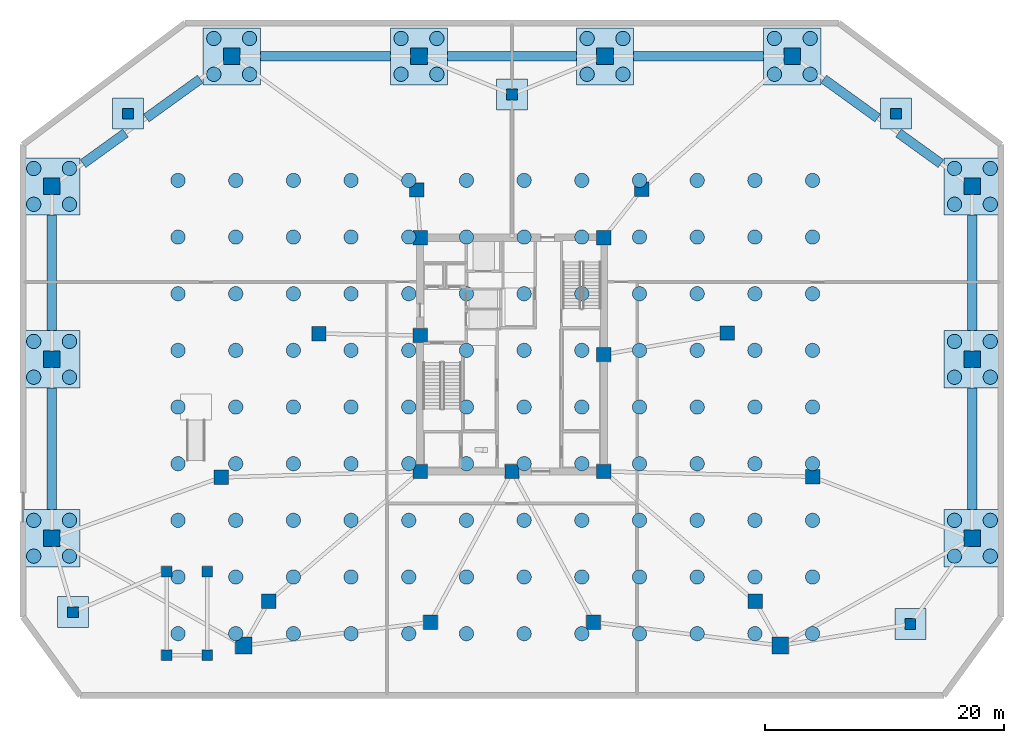
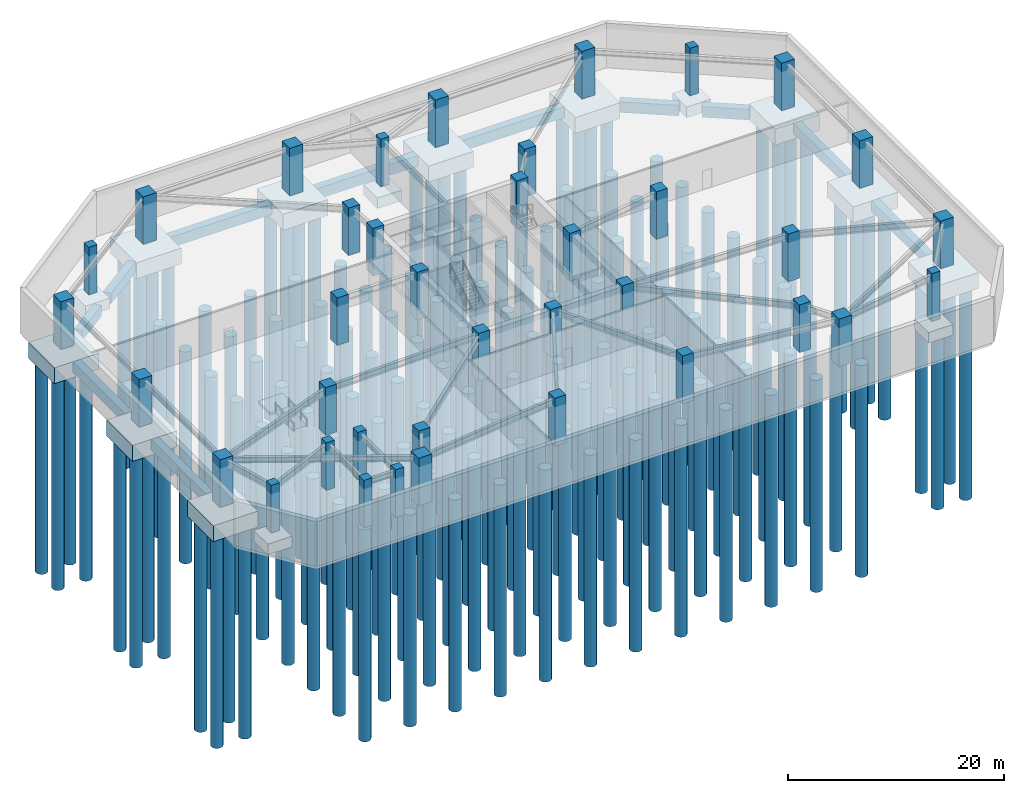
# One storey, part 1 of 12: 148 piles, 38 columns, 26 footings.
"""IFC4 building model written with IfcOpenShell, lengths in metres."""

from ifc_helpers import new_model, si_unit, direction, frame, origin, origin_2d, place, context, subcontext, project, spatial, rectangle, circle, extrude, material, material_profile, profile_set, type_object, element, save


model = new_model("IFC4")

# Units and contexts
model_context = context("Model", 3, precision=1e-05, world=origin(), true_north=direction((0.0, 1.0)))
body_context = subcontext(model_context, "Body", "Model", "MODEL_VIEW")
ifc_project = project(units=[si_unit("LENGTHUNIT", "METRE"), si_unit("AREAUNIT", "SQUARE_METRE"), si_unit("VOLUMEUNIT", "CUBIC_METRE"), si_unit("PLANEANGLEUNIT", "RADIAN"), si_unit("MASSUNIT", "GRAM", prefix="KILO")], contexts=[model_context])

# Site, building, storey
site_placement = place(None, origin())
site = spatial("IfcSite", under=ifc_project, at=site_placement, CompositionType="ELEMENT")
building_placement = place(site_placement, origin())
building = spatial("IfcBuilding", under=site, at=building_placement, Name="Savorim Split Tower", CompositionType="ELEMENT")
storey_placement = place(building_placement, frame((0.0, 0.0, -5.39990234375)))
storey = spatial("IfcBuildingStorey", under=building, at=storey_placement, Name="B01", CompositionType="ELEMENT", Elevation=-5.39990234375)

# Footings
ifc_material_1 = material(Name="Concrete C50/60", Category="concrete")
footing_type_1 = type_object("IfcFootingType", Name="FTG-GBM-800x1200", PredefinedType="FOOTING_BEAM", material=ifc_material_1)
footing_1_placement = place(storey_placement, frame((38.60009765625, -7.5, -1.64990234375), z_axis=(0.0, 0.0, 1.0), x_axis=(0.0, 1.0, 0.0)))
element("IfcFooting", 1, at=footing_1_placement, inside=storey, type_object=footing_type_1, Name="Continuous Ground Tie Beam GB-01", PredefinedType="FOOTING_BEAM", context=body_context, shape_type="SweptSolid", body=[
    extrude(rectangle(XDim=10.18994140625, YDim=0.800048828125, at=origin_2d()), origin(), (0.0, 0.0, 1.0), 1.199951171875),
])
footing_2_placement = place(storey_placement, frame((38.60009765625, 7.25, -1.64990234375), z_axis=(0.0, 0.0, 1.0), x_axis=(0.0, 1.0, 0.0)))
element("IfcFooting", 2, at=footing_2_placement, inside=storey, type_object=footing_type_1, Name="Continuous Ground Tie Beam GB-02", PredefinedType="FOOTING_BEAM", context=body_context, shape_type="SweptSolid", body=[
    extrude(rectangle(XDim=9.68994140625, YDim=0.800048828125, at=origin_2d()), origin(), (0.0, 0.0, 1.0), 1.199951171875),
])
footing_3_placement = place(storey_placement, frame((34.183837890625, 17.68798828125, -1.64990234375), z_axis=(0.0, 0.0, 1.0), x_axis=(-0.810820764412, 0.585294530982, 0.0)))
element("IfcFooting", 3, at=footing_3_placement, inside=storey, type_object=footing_type_1, Name="Continuous Ground Tie Beam GB-03A", PredefinedType="FOOTING_BEAM", context=body_context, shape_type="SweptSolid", body=[
    extrude(rectangle(XDim=4.383544921875, YDim=0.800048828125, at=origin_2d()), origin(), (0.0, 0.0, 1.0), 1.199951171875),
])
footing_4_placement = place(storey_placement, frame((28.39990234375, 21.86279296875, -1.64990234375), z_axis=(0.0, 0.0, 1.0), x_axis=(-0.810820764412, 0.585294530982, 0.0)))
element("IfcFooting", 4, at=footing_4_placement, inside=storey, type_object=footing_type_1, Name="Continuous Ground Tie Beam GB-03B", PredefinedType="FOOTING_BEAM", context=body_context, shape_type="SweptSolid", body=[
    extrude(rectangle(XDim=5.576904296875, YDim=0.800048828125, at=origin_2d()), origin(), (0.0, 0.0, 1.0), 1.199951171875),
])
footing_5_placement = place(storey_placement, frame((15.64990234375, 25.39990234375, -1.64990234375), z_axis=(0.0, 0.0, 1.0), x_axis=(1.0, 0.0, 0.0)))
element("IfcFooting", 5, at=footing_5_placement, inside=storey, type_object=footing_type_1, Name="Continuous Ground Tie Beam GB-04", PredefinedType="FOOTING_BEAM", context=body_context, shape_type="SweptSolid", body=[
    extrude(rectangle(XDim=10.889892578125, YDim=0.800048828125, at=origin_2d()), origin(), (0.0, 0.0, 1.0), 1.199951171875),
])
footing_6_placement = place(storey_placement, frame((0.0, 25.39990234375, -1.64990234375), z_axis=(0.0, 0.0, 1.0), x_axis=(1.0, 0.0, 0.0)))
element("IfcFooting", 6, at=footing_6_placement, inside=storey, type_object=footing_type_1, Name="Continuous Ground Tie Beam GB-05", PredefinedType="FOOTING_BEAM", context=body_context, shape_type="SweptSolid", body=[
    extrude(rectangle(XDim=10.7900390625, YDim=0.800048828125, at=origin_2d()), origin(), (0.0, 0.0, 1.0), 1.199951171875),
])
footing_7_placement = place(storey_placement, frame((-15.64990234375, 25.39990234375, -1.64990234375), z_axis=(0.0, 0.0, 1.0), x_axis=(1.0, 0.0, 0.0)))
element("IfcFooting", 7, at=footing_7_placement, inside=storey, type_object=footing_type_1, Name="Continuous Ground Tie Beam GB-06", PredefinedType="FOOTING_BEAM", context=body_context, shape_type="SweptSolid", body=[
    extrude(rectangle(XDim=10.889892578125, YDim=0.800048828125, at=origin_2d()), origin(), (0.0, 0.0, 1.0), 1.199951171875),
])
footing_8_placement = place(storey_placement, frame((-28.39990234375, 21.86279296875, -1.64990234375), z_axis=(0.0, 0.0, 1.0), x_axis=(0.810820764412, 0.585294530982, 0.0)))
element("IfcFooting", 8, at=footing_8_placement, inside=storey, type_object=footing_type_1, Name="Continuous Ground Tie Beam GB-07A", PredefinedType="FOOTING_BEAM", context=body_context, shape_type="SweptSolid", body=[
    extrude(rectangle(XDim=5.576904296875, YDim=0.800048828125, at=origin_2d()), origin(), (0.0, 0.0, 1.0), 1.199951171875),
])
footing_9_placement = place(storey_placement, frame((-34.183837890625, 17.68798828125, -1.64990234375), z_axis=(0.0, 0.0, 1.0), x_axis=(0.810820764412, 0.585294530982, 0.0)))
element("IfcFooting", 9, at=footing_9_placement, inside=storey, type_object=footing_type_1, Name="Continuous Ground Tie Beam GB-07B", PredefinedType="FOOTING_BEAM", context=body_context, shape_type="SweptSolid", body=[
    extrude(rectangle(XDim=4.383544921875, YDim=0.800048828125, at=origin_2d()), origin(), (0.0, 0.0, 1.0), 1.199951171875),
])
footing_10_placement = place(storey_placement, frame((-38.60009765625, 7.25, -1.64990234375), z_axis=(0.0, 0.0, 1.0), x_axis=(0.0, 1.0, 0.0)))
element("IfcFooting", 10, at=footing_10_placement, inside=storey, type_object=footing_type_1, Name="Continuous Ground Tie Beam GB-08", PredefinedType="FOOTING_BEAM", context=body_context, shape_type="SweptSolid", body=[
    extrude(rectangle(XDim=9.68994140625, YDim=0.800048828125, at=origin_2d()), origin(), (0.0, 0.0, 1.0), 1.199951171875),
])
footing_11_placement = place(storey_placement, frame((-38.60009765625, -7.5, -1.64990234375), z_axis=(0.0, 0.0, 1.0), x_axis=(0.0, 1.0, 0.0)))
element("IfcFooting", 11, at=footing_11_placement, inside=storey, type_object=footing_type_1, Name="Continuous Ground Tie Beam GB-09", PredefinedType="FOOTING_BEAM", context=body_context, shape_type="SweptSolid", body=[
    extrude(rectangle(XDim=10.18994140625, YDim=0.800048828125, at=origin_2d()), origin(), (0.0, 0.0, 1.0), 1.199951171875),
])
footing_type_2 = type_object("IfcFootingType", Name="FTG-PAD-2600", PredefinedType="PAD_FOOTING", material=ifc_material_1)
for number, where, z_axis, x_axis, name in (
    (12, (33.39990234375, -22.199951171875, -1.64990234375), (0.0, 0.0, 1.0), (1.0, 0.0, 0.0), "Pad Footing PF-01"),
    (13, (32.199951171875, 20.60009765625, -1.64990234375), (0.0, 0.0, 1.0), (1.0, 0.0, 0.0), "Pad Footing PF-02"),
    (14, (-32.199951171875, 20.60009765625, -1.64990234375), (0.0, 0.0, 1.0), (1.0, 0.0, 0.0), "Pad Footing PF-03"),
    (15, (-36.800048828125, -21.199951171875, -1.64990234375), (0.0, 0.0, 1.0), (1.0, 0.0, 0.0), "Pad Footing PF-04"),
    (16, (0.0, 22.199951171875, -1.64990234375), (0.0, 0.0, 1.0), (1.0, 0.0, 0.0), "Pad Footing PF-05"),
):
    element("IfcFooting", number, at=place(storey_placement, frame(where, z_axis=z_axis, x_axis=x_axis)), inside=storey, type_object=footing_type_2, Name=name, PredefinedType="PAD_FOOTING", context=body_context, shape_type="SweptSolid", body=[
        extrude(rectangle(XDim=2.60009765625, YDim=2.60009765625, at=origin_2d()), origin(), (0.0, 0.0, 1.0), 1.199951171875),
    ])
footing_type_3 = type_object("IfcFootingType", Name="FTG-PCAP-4800", PredefinedType="PILE_CAP", material=ifc_material_1)
for number, where, z_axis, x_axis, name in (
    (17, (38.60009765625, -15.0, -2.25), (0.0, 0.0, 1.0), (1.0, 0.0, 0.0), "Perimeter Pile Cap PC-05"),
    (18, (38.60009765625, 0.0, -2.25), (0.0, 0.0, 1.0), (1.0, 0.0, 0.0), "Perimeter Pile Cap PC-06"),
    (19, (38.60009765625, 14.5, -2.25), (0.0, 0.0, 1.0), (1.0, 0.0, 0.0), "Perimeter Pile Cap PC-07"),
    (20, (23.5, 25.39990234375, -2.25), (0.0, 0.0, 1.0), (1.0, 0.0, 0.0), "Perimeter Pile Cap PC-08"),
    (21, (7.800048828125, 25.39990234375, -2.25), (0.0, 0.0, 1.0), (1.0, 0.0, 0.0), "Perimeter Pile Cap PC-09"),
    (22, (-7.800048828125, 25.39990234375, -2.25), (0.0, 0.0, 1.0), (1.0, 0.0, 0.0), "Perimeter Pile Cap PC-10"),
    (23, (-23.5, 25.39990234375, -2.25), (0.0, 0.0, 1.0), (1.0, 0.0, 0.0), "Perimeter Pile Cap PC-11"),
    (24, (-38.60009765625, 14.5, -2.25), (0.0, 0.0, 1.0), (1.0, 0.0, 0.0), "Perimeter Pile Cap PC-12"),
    (25, (-38.60009765625, 0.0, -2.25), (0.0, 0.0, 1.0), (1.0, 0.0, 0.0), "Perimeter Pile Cap PC-13"),
    (26, (-38.60009765625, -15.0, -2.25), (0.0, 0.0, 1.0), (1.0, 0.0, 0.0), "Perimeter Pile Cap PC-14"),
):
    element("IfcFooting", number, at=place(storey_placement, frame(where, z_axis=z_axis, x_axis=x_axis)), inside=storey, type_object=footing_type_3, Name=name, PredefinedType="PILE_CAP", context=body_context, shape_type="SweptSolid", body=[
        extrude(rectangle(XDim=4.800048828125, YDim=4.800048828125, at=origin_2d()), origin(), (0.0, 0.0, 1.0), 1.800048828125),
    ])

# Piles
ifc_material_profile_1 = material_profile(ifc_material_1, circle(Radius=0.60009765625, at=origin_2d()), Name="PILE D1200")
ifc_profile_set_1 = profile_set([ifc_material_profile_1], Name="Concrete C50/60")
pile_type = type_object("IfcPileType", Name="PIL-BORED-1200", PredefinedType="BORED", material=ifc_profile_set_1)
for number, where, z_axis, x_axis, name in (
    (27, (-28.0, -23.0, -1.650146484375), (0.0, 0.0, -1.0), (1.0, 0.0, 0.0), "Bored Pile D1200 Raft 1"),
    (28, (-28.0, -18.25, -1.650146484375), (0.0, 0.0, -1.0), (1.0, 0.0, 0.0), "Bored Pile D1200 Raft 2"),
    (29, (-28.0, -13.5, -1.650146484375), (0.0, 0.0, -1.0), (1.0, 0.0, 0.0), "Bored Pile D1200 Raft 3"),
    (30, (-28.0, -8.75, -1.650146484375), (0.0, 0.0, -1.0), (1.0, 0.0, 0.0), "Bored Pile D1200 Raft 4"),
    (31, (-28.0, -4.0, -1.650146484375), (0.0, 0.0, -1.0), (1.0, 0.0, 0.0), "Bored Pile D1200 Raft 5"),
    (32, (-28.0, 0.75, -1.650146484375), (0.0, 0.0, -1.0), (1.0, 0.0, 0.0), "Bored Pile D1200 Raft 6"),
    (33, (-28.0, 5.5, -1.650146484375), (0.0, 0.0, -1.0), (1.0, 0.0, 0.0), "Bored Pile D1200 Raft 7"),
    (34, (-28.0, 10.25, -1.650146484375), (0.0, 0.0, -1.0), (1.0, 0.0, 0.0), "Bored Pile D1200 Raft 8"),
    (35, (-28.0, 15.0, -1.650146484375), (0.0, 0.0, -1.0), (1.0, 0.0, 0.0), "Bored Pile D1200 Raft 9"),
    (36, (-23.16357421875, -23.0, -1.650146484375), (0.0, 0.0, -1.0), (1.0, 0.0, 0.0), "Bored Pile D1200 Raft 10"),
    (37, (-23.16357421875, -18.25, -1.650146484375), (0.0, 0.0, -1.0), (1.0, 0.0, 0.0), "Bored Pile D1200 Raft 11"),
    (38, (-23.16357421875, -13.5, -1.650146484375), (0.0, 0.0, -1.0), (1.0, 0.0, 0.0), "Bored Pile D1200 Raft 12"),
    (39, (-23.16357421875, -8.75, -1.650146484375), (0.0, 0.0, -1.0), (1.0, 0.0, 0.0), "Bored Pile D1200 Raft 13"),
    (40, (-23.16357421875, -4.0, -1.650146484375), (0.0, 0.0, -1.0), (1.0, 0.0, 0.0), "Bored Pile D1200 Raft 14"),
    (41, (-23.16357421875, 0.75, -1.650146484375), (0.0, 0.0, -1.0), (1.0, 0.0, 0.0), "Bored Pile D1200 Raft 15"),
    (42, (-23.16357421875, 5.5, -1.650146484375), (0.0, 0.0, -1.0), (1.0, 0.0, 0.0), "Bored Pile D1200 Raft 16"),
    (43, (-23.16357421875, 10.25, -1.650146484375), (0.0, 0.0, -1.0), (1.0, 0.0, 0.0), "Bored Pile D1200 Raft 17"),
    (44, (-23.16357421875, 15.0, -1.650146484375), (0.0, 0.0, -1.0), (1.0, 0.0, 0.0), "Bored Pile D1200 Raft 18"),
    (45, (-18.327392578125, -23.0, -1.650146484375), (0.0, 0.0, -1.0), (1.0, 0.0, 0.0), "Bored Pile D1200 Raft 19"),
    (46, (-18.327392578125, -18.25, -1.650146484375), (0.0, 0.0, -1.0), (1.0, 0.0, 0.0), "Bored Pile D1200 Raft 20"),
    (47, (-18.327392578125, -13.5, -1.650146484375), (0.0, 0.0, -1.0), (1.0, 0.0, 0.0), "Bored Pile D1200 Raft 21"),
    (48, (-18.327392578125, -8.75, -1.650146484375), (0.0, 0.0, -1.0), (1.0, 0.0, 0.0), "Bored Pile D1200 Raft 22"),
    (49, (-18.327392578125, -4.0, -1.650146484375), (0.0, 0.0, -1.0), (1.0, 0.0, 0.0), "Bored Pile D1200 Raft 23"),
    (50, (-18.327392578125, 0.75, -1.650146484375), (0.0, 0.0, -1.0), (1.0, 0.0, 0.0), "Bored Pile D1200 Raft 24"),
    (51, (-18.327392578125, 5.5, -1.650146484375), (0.0, 0.0, -1.0), (1.0, 0.0, 0.0), "Bored Pile D1200 Raft 25"),
    (52, (-18.327392578125, 10.25, -1.650146484375), (0.0, 0.0, -1.0), (1.0, 0.0, 0.0), "Bored Pile D1200 Raft 26"),
    (53, (-18.327392578125, 15.0, -1.650146484375), (0.0, 0.0, -1.0), (1.0, 0.0, 0.0), "Bored Pile D1200 Raft 27"),
    (54, (-13.490966796875, -23.0, -1.650146484375), (0.0, 0.0, -1.0), (1.0, 0.0, 0.0), "Bored Pile D1200 Raft 28"),
    (55, (-13.490966796875, -18.25, -1.650146484375), (0.0, 0.0, -1.0), (1.0, 0.0, 0.0), "Bored Pile D1200 Raft 29"),
    (56, (-13.490966796875, -13.5, -1.650146484375), (0.0, 0.0, -1.0), (1.0, 0.0, 0.0), "Bored Pile D1200 Raft 30"),
    (57, (-13.490966796875, -8.75, -1.650146484375), (0.0, 0.0, -1.0), (1.0, 0.0, 0.0), "Bored Pile D1200 Raft 31"),
    (58, (-13.490966796875, -4.0, -1.650146484375), (0.0, 0.0, -1.0), (1.0, 0.0, 0.0), "Bored Pile D1200 Raft 32"),
    (59, (-13.490966796875, 0.75, -1.650146484375), (0.0, 0.0, -1.0), (1.0, 0.0, 0.0), "Bored Pile D1200 Raft 33"),
    (60, (-13.490966796875, 5.5, -1.650146484375), (0.0, 0.0, -1.0), (1.0, 0.0, 0.0), "Bored Pile D1200 Raft 34"),
    (61, (-13.490966796875, 10.25, -1.650146484375), (0.0, 0.0, -1.0), (1.0, 0.0, 0.0), "Bored Pile D1200 Raft 35"),
    (62, (-13.490966796875, 15.0, -1.650146484375), (0.0, 0.0, -1.0), (1.0, 0.0, 0.0), "Bored Pile D1200 Raft 36"),
    (63, (-8.654541015625, -23.0, -1.650146484375), (0.0, 0.0, -1.0), (1.0, 0.0, 0.0), "Bored Pile D1200 Raft 37"),
    (64, (-8.654541015625, -18.25, -1.650146484375), (0.0, 0.0, -1.0), (1.0, 0.0, 0.0), "Bored Pile D1200 Raft 38"),
    (65, (-8.654541015625, -13.5, -1.650146484375), (0.0, 0.0, -1.0), (1.0, 0.0, 0.0), "Bored Pile D1200 Raft 39"),
    (66, (-8.654541015625, -8.75, -1.650146484375), (0.0, 0.0, -1.0), (1.0, 0.0, 0.0), "Bored Pile D1200 Raft 40"),
    (67, (-8.654541015625, -4.0, -1.650146484375), (0.0, 0.0, -1.0), (1.0, 0.0, 0.0), "Bored Pile D1200 Raft 41"),
    (68, (-8.654541015625, 0.75, -1.650146484375), (0.0, 0.0, -1.0), (1.0, 0.0, 0.0), "Bored Pile D1200 Raft 42"),
    (69, (-8.654541015625, 5.5, -1.650146484375), (0.0, 0.0, -1.0), (1.0, 0.0, 0.0), "Bored Pile D1200 Raft 43"),
    (70, (-8.654541015625, 10.25, -1.650146484375), (0.0, 0.0, -1.0), (1.0, 0.0, 0.0), "Bored Pile D1200 Raft 44"),
    (71, (-8.654541015625, 15.0, -1.650146484375), (0.0, 0.0, -1.0), (1.0, 0.0, 0.0), "Bored Pile D1200 Raft 45"),
    (72, (-3.818115234375, -23.0, -1.650146484375), (0.0, 0.0, -1.0), (1.0, 0.0, 0.0), "Bored Pile D1200 Raft 46"),
    (73, (-3.818115234375, -18.25, -1.650146484375), (0.0, 0.0, -1.0), (1.0, 0.0, 0.0), "Bored Pile D1200 Raft 47"),
    (74, (-3.818115234375, -13.5, -1.650146484375), (0.0, 0.0, -1.0), (1.0, 0.0, 0.0), "Bored Pile D1200 Raft 48"),
    (75, (-3.818115234375, -8.75, -1.650146484375), (0.0, 0.0, -1.0), (1.0, 0.0, 0.0), "Bored Pile D1200 Raft 49"),
    (76, (-3.818115234375, -4.0, -1.650146484375), (0.0, 0.0, -1.0), (1.0, 0.0, 0.0), "Bored Pile D1200 Raft 50"),
    (77, (-3.818115234375, 0.75, -1.650146484375), (0.0, 0.0, -1.0), (1.0, 0.0, 0.0), "Bored Pile D1200 Raft 51"),
    (78, (-3.818115234375, 5.5, -1.650146484375), (0.0, 0.0, -1.0), (1.0, 0.0, 0.0), "Bored Pile D1200 Raft 52"),
    (79, (-3.818115234375, 10.25, -1.650146484375), (0.0, 0.0, -1.0), (1.0, 0.0, 0.0), "Bored Pile D1200 Raft 53"),
    (80, (-3.818115234375, 15.0, -1.650146484375), (0.0, 0.0, -1.0), (1.0, 0.0, 0.0), "Bored Pile D1200 Raft 54"),
    (81, (1.018310546875, -23.0, -1.650146484375), (0.0, 0.0, -1.0), (1.0, 0.0, 0.0), "Bored Pile D1200 Raft 55"),
    (82, (1.018310546875, -18.25, -1.650146484375), (0.0, 0.0, -1.0), (1.0, 0.0, 0.0), "Bored Pile D1200 Raft 56"),
    (83, (1.018310546875, -13.5, -1.650146484375), (0.0, 0.0, -1.0), (1.0, 0.0, 0.0), "Bored Pile D1200 Raft 57"),
    (84, (1.018310546875, -8.75, -1.650146484375), (0.0, 0.0, -1.0), (1.0, 0.0, 0.0), "Bored Pile D1200 Raft 58"),
    (85, (1.018310546875, -4.0, -1.650146484375), (0.0, 0.0, -1.0), (1.0, 0.0, 0.0), "Bored Pile D1200 Raft 59"),
    (86, (1.018310546875, 0.75, -1.650146484375), (0.0, 0.0, -1.0), (1.0, 0.0, 0.0), "Bored Pile D1200 Raft 60"),
    (87, (1.018310546875, 5.5, -1.650146484375), (0.0, 0.0, -1.0), (1.0, 0.0, 0.0), "Bored Pile D1200 Raft 61"),
    (88, (1.018310546875, 10.25, -1.650146484375), (0.0, 0.0, -1.0), (1.0, 0.0, 0.0), "Bored Pile D1200 Raft 62"),
    (89, (1.018310546875, 15.0, -1.650146484375), (0.0, 0.0, -1.0), (1.0, 0.0, 0.0), "Bored Pile D1200 Raft 63"),
    (90, (5.8544921875, -23.0, -1.650146484375), (0.0, 0.0, -1.0), (1.0, 0.0, 0.0), "Bored Pile D1200 Raft 64"),
    (91, (5.8544921875, -18.25, -1.650146484375), (0.0, 0.0, -1.0), (1.0, 0.0, 0.0), "Bored Pile D1200 Raft 65"),
    (92, (5.8544921875, -13.5, -1.650146484375), (0.0, 0.0, -1.0), (1.0, 0.0, 0.0), "Bored Pile D1200 Raft 66"),
    (93, (5.8544921875, -8.75, -1.650146484375), (0.0, 0.0, -1.0), (1.0, 0.0, 0.0), "Bored Pile D1200 Raft 67"),
    (94, (5.8544921875, -4.0, -1.650146484375), (0.0, 0.0, -1.0), (1.0, 0.0, 0.0), "Bored Pile D1200 Raft 68"),
    (95, (5.8544921875, 0.75, -1.650146484375), (0.0, 0.0, -1.0), (1.0, 0.0, 0.0), "Bored Pile D1200 Raft 69"),
    (96, (5.8544921875, 5.5, -1.650146484375), (0.0, 0.0, -1.0), (1.0, 0.0, 0.0), "Bored Pile D1200 Raft 70"),
    (97, (5.8544921875, 10.25, -1.650146484375), (0.0, 0.0, -1.0), (1.0, 0.0, 0.0), "Bored Pile D1200 Raft 71"),
    (98, (5.8544921875, 15.0, -1.650146484375), (0.0, 0.0, -1.0), (1.0, 0.0, 0.0), "Bored Pile D1200 Raft 72"),
    (99, (10.69091796875, -23.0, -1.650146484375), (0.0, 0.0, -1.0), (1.0, 0.0, 0.0), "Bored Pile D1200 Raft 73"),
    (100, (10.69091796875, -18.25, -1.650146484375), (0.0, 0.0, -1.0), (1.0, 0.0, 0.0), "Bored Pile D1200 Raft 74"),
    (101, (10.69091796875, -13.5, -1.650146484375), (0.0, 0.0, -1.0), (1.0, 0.0, 0.0), "Bored Pile D1200 Raft 75"),
    (102, (10.69091796875, -8.75, -1.650146484375), (0.0, 0.0, -1.0), (1.0, 0.0, 0.0), "Bored Pile D1200 Raft 76"),
    (103, (10.69091796875, -4.0, -1.650146484375), (0.0, 0.0, -1.0), (1.0, 0.0, 0.0), "Bored Pile D1200 Raft 77"),
    (104, (10.69091796875, 0.75, -1.650146484375), (0.0, 0.0, -1.0), (1.0, 0.0, 0.0), "Bored Pile D1200 Raft 78"),
    (105, (10.69091796875, 5.5, -1.650146484375), (0.0, 0.0, -1.0), (1.0, 0.0, 0.0), "Bored Pile D1200 Raft 79"),
    (106, (10.69091796875, 10.25, -1.650146484375), (0.0, 0.0, -1.0), (1.0, 0.0, 0.0), "Bored Pile D1200 Raft 80"),
    (107, (10.69091796875, 15.0, -1.650146484375), (0.0, 0.0, -1.0), (1.0, 0.0, 0.0), "Bored Pile D1200 Raft 81"),
    (108, (15.52734375, -23.0, -1.650146484375), (0.0, 0.0, -1.0), (1.0, 0.0, 0.0), "Bored Pile D1200 Raft 82"),
    (109, (15.52734375, -18.25, -1.650146484375), (0.0, 0.0, -1.0), (1.0, 0.0, 0.0), "Bored Pile D1200 Raft 83"),
    (110, (15.52734375, -13.5, -1.650146484375), (0.0, 0.0, -1.0), (1.0, 0.0, 0.0), "Bored Pile D1200 Raft 84"),
    (111, (15.52734375, -8.75, -1.650146484375), (0.0, 0.0, -1.0), (1.0, 0.0, 0.0), "Bored Pile D1200 Raft 85"),
    (112, (15.52734375, -4.0, -1.650146484375), (0.0, 0.0, -1.0), (1.0, 0.0, 0.0), "Bored Pile D1200 Raft 86"),
    (113, (15.52734375, 0.75, -1.650146484375), (0.0, 0.0, -1.0), (1.0, 0.0, 0.0), "Bored Pile D1200 Raft 87"),
    (114, (15.52734375, 5.5, -1.650146484375), (0.0, 0.0, -1.0), (1.0, 0.0, 0.0), "Bored Pile D1200 Raft 88"),
    (115, (15.52734375, 10.25, -1.650146484375), (0.0, 0.0, -1.0), (1.0, 0.0, 0.0), "Bored Pile D1200 Raft 89"),
    (116, (15.52734375, 15.0, -1.650146484375), (0.0, 0.0, -1.0), (1.0, 0.0, 0.0), "Bored Pile D1200 Raft 90"),
    (117, (20.363525390625, -23.0, -1.650146484375), (0.0, 0.0, -1.0), (1.0, 0.0, 0.0), "Bored Pile D1200 Raft 91"),
    (118, (20.363525390625, -18.25, -1.650146484375), (0.0, 0.0, -1.0), (1.0, 0.0, 0.0), "Bored Pile D1200 Raft 92"),
    (119, (20.363525390625, -13.5, -1.650146484375), (0.0, 0.0, -1.0), (1.0, 0.0, 0.0), "Bored Pile D1200 Raft 93"),
    (120, (20.363525390625, -8.75, -1.650146484375), (0.0, 0.0, -1.0), (1.0, 0.0, 0.0), "Bored Pile D1200 Raft 94"),
    (121, (20.363525390625, -4.0, -1.650146484375), (0.0, 0.0, -1.0), (1.0, 0.0, 0.0), "Bored Pile D1200 Raft 95"),
    (122, (20.363525390625, 0.75, -1.650146484375), (0.0, 0.0, -1.0), (1.0, 0.0, 0.0), "Bored Pile D1200 Raft 96"),
    (123, (20.363525390625, 5.5, -1.650146484375), (0.0, 0.0, -1.0), (1.0, 0.0, 0.0), "Bored Pile D1200 Raft 97"),
    (124, (20.363525390625, 10.25, -1.650146484375), (0.0, 0.0, -1.0), (1.0, 0.0, 0.0), "Bored Pile D1200 Raft 98"),
    (125, (20.363525390625, 15.0, -1.650146484375), (0.0, 0.0, -1.0), (1.0, 0.0, 0.0), "Bored Pile D1200 Raft 99"),
    (126, (25.199951171875, -23.0, -1.650146484375), (0.0, 0.0, -1.0), (1.0, 0.0, 0.0), "Bored Pile D1200 Raft 100"),
    (127, (25.199951171875, -18.25, -1.650146484375), (0.0, 0.0, -1.0), (1.0, 0.0, 0.0), "Bored Pile D1200 Raft 101"),
    (128, (25.199951171875, -13.5, -1.650146484375), (0.0, 0.0, -1.0), (1.0, 0.0, 0.0), "Bored Pile D1200 Raft 102"),
    (129, (25.199951171875, -8.75, -1.650146484375), (0.0, 0.0, -1.0), (1.0, 0.0, 0.0), "Bored Pile D1200 Raft 103"),
    (130, (25.199951171875, -4.0, -1.650146484375), (0.0, 0.0, -1.0), (1.0, 0.0, 0.0), "Bored Pile D1200 Raft 104"),
    (131, (25.199951171875, 0.75, -1.650146484375), (0.0, 0.0, -1.0), (1.0, 0.0, 0.0), "Bored Pile D1200 Raft 105"),
    (132, (25.199951171875, 5.5, -1.650146484375), (0.0, 0.0, -1.0), (1.0, 0.0, 0.0), "Bored Pile D1200 Raft 106"),
    (133, (25.199951171875, 10.25, -1.650146484375), (0.0, 0.0, -1.0), (1.0, 0.0, 0.0), "Bored Pile D1200 Raft 107"),
    (134, (25.199951171875, 15.0, -1.650146484375), (0.0, 0.0, -1.0), (1.0, 0.0, 0.0), "Bored Pile D1200 Raft 108"),
    (135, (37.10009765625, -16.5, -2.10009765625), (0.0, 0.0, -1.0), (1.0, 0.0, 0.0), "Bored Pile D1200 Cap 05-1"),
    (136, (40.10009765625, -16.5, -2.10009765625), (0.0, 0.0, -1.0), (1.0, 0.0, 0.0), "Bored Pile D1200 Cap 05-2"),
    (137, (40.10009765625, -13.5, -2.10009765625), (0.0, 0.0, -1.0), (1.0, 0.0, 0.0), "Bored Pile D1200 Cap 05-3"),
    (138, (37.10009765625, -13.5, -2.10009765625), (0.0, 0.0, -1.0), (1.0, 0.0, 0.0), "Bored Pile D1200 Cap 05-4"),
    (139, (37.10009765625, -1.5, -2.10009765625), (0.0, 0.0, -1.0), (1.0, 0.0, 0.0), "Bored Pile D1200 Cap 06-1"),
    (140, (40.10009765625, -1.5, -2.10009765625), (0.0, 0.0, -1.0), (1.0, 0.0, 0.0), "Bored Pile D1200 Cap 06-2"),
    (141, (40.10009765625, 1.5, -2.10009765625), (0.0, 0.0, -1.0), (1.0, 0.0, 0.0), "Bored Pile D1200 Cap 06-3"),
    (142, (37.10009765625, 1.5, -2.10009765625), (0.0, 0.0, -1.0), (1.0, 0.0, 0.0), "Bored Pile D1200 Cap 06-4"),
    (143, (37.10009765625, 13.0, -2.10009765625), (0.0, 0.0, -1.0), (1.0, 0.0, 0.0), "Bored Pile D1200 Cap 07-1"),
    (144, (40.10009765625, 13.0, -2.10009765625), (0.0, 0.0, -1.0), (1.0, 0.0, 0.0), "Bored Pile D1200 Cap 07-2"),
    (145, (40.10009765625, 16.0, -2.10009765625), (0.0, 0.0, -1.0), (1.0, 0.0, 0.0), "Bored Pile D1200 Cap 07-3"),
    (146, (37.10009765625, 16.0, -2.10009765625), (0.0, 0.0, -1.0), (1.0, 0.0, 0.0), "Bored Pile D1200 Cap 07-4"),
    (147, (22.0, 23.89990234375, -2.10009765625), (0.0, 0.0, -1.0), (1.0, 0.0, 0.0), "Bored Pile D1200 Cap 08-1"),
    (148, (25.0, 23.89990234375, -2.10009765625), (0.0, 0.0, -1.0), (1.0, 0.0, 0.0), "Bored Pile D1200 Cap 08-2"),
    (149, (25.0, 26.89990234375, -2.10009765625), (0.0, 0.0, -1.0), (1.0, 0.0, 0.0), "Bored Pile D1200 Cap 08-3"),
    (150, (22.0, 26.89990234375, -2.10009765625), (0.0, 0.0, -1.0), (1.0, 0.0, 0.0), "Bored Pile D1200 Cap 08-4"),
    (151, (6.300048828125, 23.89990234375, -2.10009765625), (0.0, 0.0, -1.0), (1.0, 0.0, 0.0), "Bored Pile D1200 Cap 09-1"),
    (152, (9.300048828125, 23.89990234375, -2.10009765625), (0.0, 0.0, -1.0), (1.0, 0.0, 0.0), "Bored Pile D1200 Cap 09-2"),
    (153, (9.300048828125, 26.89990234375, -2.10009765625), (0.0, 0.0, -1.0), (1.0, 0.0, 0.0), "Bored Pile D1200 Cap 09-3"),
    (154, (6.300048828125, 26.89990234375, -2.10009765625), (0.0, 0.0, -1.0), (1.0, 0.0, 0.0), "Bored Pile D1200 Cap 09-4"),
    (155, (-9.300048828125, 23.89990234375, -2.10009765625), (0.0, 0.0, -1.0), (1.0, 0.0, 0.0), "Bored Pile D1200 Cap 10-1"),
    (156, (-6.300048828125, 23.89990234375, -2.10009765625), (0.0, 0.0, -1.0), (1.0, 0.0, 0.0), "Bored Pile D1200 Cap 10-2"),
    (157, (-6.300048828125, 26.89990234375, -2.10009765625), (0.0, 0.0, -1.0), (1.0, 0.0, 0.0), "Bored Pile D1200 Cap 10-3"),
    (158, (-9.300048828125, 26.89990234375, -2.10009765625), (0.0, 0.0, -1.0), (1.0, 0.0, 0.0), "Bored Pile D1200 Cap 10-4"),
    (159, (-25.0, 23.89990234375, -2.10009765625), (0.0, 0.0, -1.0), (1.0, 0.0, 0.0), "Bored Pile D1200 Cap 11-1"),
    (160, (-22.0, 23.89990234375, -2.10009765625), (0.0, 0.0, -1.0), (1.0, 0.0, 0.0), "Bored Pile D1200 Cap 11-2"),
    (161, (-22.0, 26.89990234375, -2.10009765625), (0.0, 0.0, -1.0), (1.0, 0.0, 0.0), "Bored Pile D1200 Cap 11-3"),
    (162, (-25.0, 26.89990234375, -2.10009765625), (0.0, 0.0, -1.0), (1.0, 0.0, 0.0), "Bored Pile D1200 Cap 11-4"),
    (163, (-40.10009765625, 13.0, -2.10009765625), (0.0, 0.0, -1.0), (1.0, 0.0, 0.0), "Bored Pile D1200 Cap 12-1"),
    (164, (-37.10009765625, 13.0, -2.10009765625), (0.0, 0.0, -1.0), (1.0, 0.0, 0.0), "Bored Pile D1200 Cap 12-2"),
    (165, (-37.10009765625, 16.0, -2.10009765625), (0.0, 0.0, -1.0), (1.0, 0.0, 0.0), "Bored Pile D1200 Cap 12-3"),
    (166, (-40.10009765625, 16.0, -2.10009765625), (0.0, 0.0, -1.0), (1.0, 0.0, 0.0), "Bored Pile D1200 Cap 12-4"),
    (167, (-40.10009765625, -1.5, -2.10009765625), (0.0, 0.0, -1.0), (1.0, 0.0, 0.0), "Bored Pile D1200 Cap 13-1"),
    (168, (-37.10009765625, -1.5, -2.10009765625), (0.0, 0.0, -1.0), (1.0, 0.0, 0.0), "Bored Pile D1200 Cap 13-2"),
    (169, (-37.10009765625, 1.5, -2.10009765625), (0.0, 0.0, -1.0), (1.0, 0.0, 0.0), "Bored Pile D1200 Cap 13-3"),
    (170, (-40.10009765625, 1.5, -2.10009765625), (0.0, 0.0, -1.0), (1.0, 0.0, 0.0), "Bored Pile D1200 Cap 13-4"),
    (171, (-40.10009765625, -16.5, -2.10009765625), (0.0, 0.0, -1.0), (1.0, 0.0, 0.0), "Bored Pile D1200 Cap 14-1"),
    (172, (-37.10009765625, -16.5, -2.10009765625), (0.0, 0.0, -1.0), (1.0, 0.0, 0.0), "Bored Pile D1200 Cap 14-2"),
    (173, (-37.10009765625, -13.5, -2.10009765625), (0.0, 0.0, -1.0), (1.0, 0.0, 0.0), "Bored Pile D1200 Cap 14-3"),
    (174, (-40.10009765625, -13.5, -2.10009765625), (0.0, 0.0, -1.0), (1.0, 0.0, 0.0), "Bored Pile D1200 Cap 14-4"),
):
    element("IfcPile", number, at=place(storey_placement, frame(where, z_axis=z_axis, x_axis=x_axis)), inside=storey, type_object=pile_type, Name=name, PredefinedType="BORED", context=body_context, shape_type="SweptSolid", body=[
        extrude(circle(Radius=0.60009765625, at=origin_2d()), origin(), (0.0, 0.0, 1.0), 24.0),
    ])

# Columns
ifc_material_2 = material(Name="Concrete C60/75", Category="concrete")
ifc_material_profile_2 = material_profile(ifc_material_2, rectangle(XDim=1.199951171875, YDim=1.199951171875, at=origin_2d()), Name="RC 1200x1200")
ifc_profile_set_2 = profile_set([ifc_material_profile_2], Name="Concrete C60/75")
column_type_1 = type_object("IfcColumnType", Name="COL-RC-1200", PredefinedType="COLUMN", material=ifc_profile_set_2)
for number, where, z_axis, x_axis, name in (
    (175, (-7.699951171875, -9.39990234375, 0.0), (0.0, 0.0, 1.0), (1.0, 0.0, 0.0), "B01 Core Structural Column TC-C1"),
    (176, (7.699951171875, -9.39990234375, 0.0), (0.0, 0.0, 1.0), (1.0, 0.0, 0.0), "B01 Core Structural Column TC-C2"),
    (177, (7.699951171875, 10.199951171875, 0.0), (0.0, 0.0, 1.0), (1.0, 0.0, 0.0), "B01 Core Structural Column TC-C3"),
    (178, (-7.699951171875, 10.199951171875, 0.0), (0.0, 0.0, 1.0), (1.0, 0.0, 0.0), "B01 Core Structural Column TC-C4"),
    (179, (0.0, -9.39990234375, 0.0), (0.0, 0.0, 1.0), (1.0, 0.0, 0.0), "B01 Core Structural Column TC-C5"),
    (180, (7.699951171875, 0.39990234375, 0.0), (0.0, 0.0, 1.0), (1.0, 0.0, 0.0), "B01 Core Structural Column TC-C6"),
    (181, (-7.699951171875, 2.0, 0.0), (0.0, 0.0, 1.0), (1.0, 0.0, 0.0), "B01 Core Structural Column TC-C7"),
    (182, (-20.384033203125, -20.291748046875, 0.0), (0.0, 0.0, 1.0), (1.0, 0.0, 0.0), "B01 Tower Transfer Pier Column PC-S1"),
    (183, (-6.831787109375, -22.03173828125, 0.0), (0.0, 0.0, 1.0), (1.0, 0.0, 0.0), "B01 Tower Transfer Pier Column PC-S2"),
    (184, (6.831787109375, -22.03173828125, 0.0), (0.0, 0.0, 1.0), (1.0, 0.0, 0.0), "B01 Tower Transfer Pier Column PC-S3"),
    (185, (20.384033203125, -20.291748046875, 0.0), (0.0, 0.0, 1.0), (1.0, 0.0, 0.0), "B01 Tower Transfer Pier Column PC-S4"),
    (186, (25.21337890625, -9.845458984375, 0.0), (0.0, 0.0, 1.0), (1.0, 0.0, 0.0), "B01 Tower Transfer Pier Column PC-E1"),
    (187, (18.049560546875, 2.202392578125, 0.0), (0.0, 0.0, 1.0), (1.0, 0.0, 0.0), "B01 Tower Transfer Pier Column PC-E2"),
    (188, (10.885498046875, 14.25048828125, 0.0), (0.0, 0.0, 1.0), (1.0, 0.0, 0.0), "B01 Tower Transfer Pier Column PC-E3"),
    (189, (-7.992431640625, 14.20166015625, 0.0), (0.0, 0.0, 1.0), (1.0, 0.0, 0.0), "B01 Tower Transfer Pier Column PC-W1"),
    (190, (-16.1884765625, 2.15380859375, 0.0), (0.0, 0.0, 1.0), (1.0, 0.0, 0.0), "B01 Tower Transfer Pier Column PC-W2"),
    (191, (-24.384521484375, -9.894287109375, 0.0), (0.0, 0.0, 1.0), (1.0, 0.0, 0.0), "B01 Tower Transfer Pier Column PC-W3"),
):
    element("IfcColumn", number, at=place(storey_placement, frame(where, z_axis=z_axis, x_axis=x_axis)), inside=storey, type_object=column_type_1, Name=name, PredefinedType="COLUMN", context=body_context, shape_type="SweptSolid", body=[
        extrude(rectangle(XDim=1.199951171875, YDim=1.199951171875, at=origin_2d()), origin(), (0.0, 0.0, 1.0), 5.39990234375),
    ])
ifc_material_profile_3 = material_profile(ifc_material_2, rectangle(XDim=1.39990234375, YDim=1.39990234375, at=origin_2d()), Name="RC 1400x1400")
ifc_profile_set_3 = profile_set([ifc_material_profile_3], Name="Concrete C60/75")
column_type_2 = type_object("IfcColumnType", Name="COL-RC-1400", PredefinedType="COLUMN", material=ifc_profile_set_3)
for number, where, z_axis, x_axis, name in (
    (192, (38.60009765625, -15.0, 0.0), (0.0, 0.0, 1.0), (1.0, 0.0, 0.0), "B01 Podium Perimeter Column DC-05"),
    (193, (38.60009765625, 0.0, 0.0), (0.0, 0.0, 1.0), (1.0, 0.0, 0.0), "B01 Podium Perimeter Column DC-06"),
    (194, (38.60009765625, 14.5, 0.0), (0.0, 0.0, 1.0), (1.0, 0.0, 0.0), "B01 Podium Perimeter Column DC-07"),
    (195, (23.5, 25.39990234375, 0.0), (0.0, 0.0, 1.0), (1.0, 0.0, 0.0), "B01 Podium Perimeter Column DC-08"),
    (196, (7.800048828125, 25.39990234375, 0.0), (0.0, 0.0, 1.0), (1.0, 0.0, 0.0), "B01 Podium Perimeter Column DC-09"),
    (197, (-7.800048828125, 25.39990234375, 0.0), (0.0, 0.0, 1.0), (1.0, 0.0, 0.0), "B01 Podium Perimeter Column DC-10"),
    (198, (-23.5, 25.39990234375, 0.0), (0.0, 0.0, 1.0), (1.0, 0.0, 0.0), "B01 Podium Perimeter Column DC-11"),
    (199, (-38.60009765625, 14.5, 0.0), (0.0, 0.0, 1.0), (1.0, 0.0, 0.0), "B01 Podium Perimeter Column DC-12"),
    (200, (-38.60009765625, 0.0, 0.0), (0.0, 0.0, 1.0), (1.0, 0.0, 0.0), "B01 Podium Perimeter Column DC-13"),
    (201, (-38.60009765625, -15.0, 0.0), (0.0, 0.0, 1.0), (1.0, 0.0, 0.0), "B01 Podium Perimeter Column DC-14"),
    (202, (-22.5, -24.0, 0.0), (0.0, 0.0, 1.0), (1.0, 0.0, 0.0), "B01 Podium Perimeter Column DC-01"),
    (203, (22.5, -24.0, 0.0), (0.0, 0.0, 1.0), (1.0, 0.0, 0.0), "B01 Podium Perimeter Column DC-04"),
):
    element("IfcColumn", number, at=place(storey_placement, frame(where, z_axis=z_axis, x_axis=x_axis)), inside=storey, type_object=column_type_2, Name=name, PredefinedType="COLUMN", context=body_context, shape_type="SweptSolid", body=[
        extrude(rectangle(XDim=1.39990234375, YDim=1.39990234375, at=origin_2d()), origin(), (0.0, 0.0, 1.0), 5.39990234375),
    ])
ifc_material_profile_4 = material_profile(ifc_material_2, rectangle(XDim=0.89990234375, YDim=0.89990234375, at=origin_2d()), Name="RC 900x900")
ifc_profile_set_4 = profile_set([ifc_material_profile_4], Name="Concrete C60/75")
column_type_3 = type_object("IfcColumnType", Name="COL-RC-900", PredefinedType="COLUMN", material=ifc_profile_set_4)
for number, where, z_axis, x_axis, name in (
    (204, (33.39990234375, -22.199951171875, 0.0), (0.0, 0.0, 1.0), (1.0, 0.0, 0.0), "B01 Podium Support Column GC-01"),
    (205, (32.199951171875, 20.60009765625, 0.0), (0.0, 0.0, 1.0), (1.0, 0.0, 0.0), "B01 Podium Support Column GC-02"),
    (206, (-32.199951171875, 20.60009765625, 0.0), (0.0, 0.0, 1.0), (1.0, 0.0, 0.0), "B01 Podium Support Column GC-03"),
    (207, (-36.800048828125, -21.199951171875, 0.0), (0.0, 0.0, 1.0), (1.0, 0.0, 0.0), "B01 Podium Support Column GC-04"),
    (208, (0.0, 22.199951171875, 0.0), (0.0, 0.0, 1.0), (1.0, 0.0, 0.0), "B01 Podium Support Column GC-05"),
    (209, (-28.949951171875, -24.800048828125, 0.0), (0.0, 0.0, 1.0), (1.0, 0.0, 0.0), "B01 Podium Support Column GSC-1"),
    (210, (-25.550048828125, -24.800048828125, 0.0), (0.0, 0.0, 1.0), (1.0, 0.0, 0.0), "B01 Podium Support Column GSC-2"),
    (211, (-28.949951171875, -17.800048828125, 0.0), (0.0, 0.0, 1.0), (1.0, 0.0, 0.0), "B01 Podium Support Column GSC-3"),
    (212, (-25.550048828125, -17.800048828125, 0.0), (0.0, 0.0, 1.0), (1.0, 0.0, 0.0), "B01 Podium Support Column GSC-4"),
):
    element("IfcColumn", number, at=place(storey_placement, frame(where, z_axis=z_axis, x_axis=x_axis)), inside=storey, type_object=column_type_3, Name=name, PredefinedType="COLUMN", context=body_context, shape_type="SweptSolid", body=[
        extrude(rectangle(XDim=0.89990234375, YDim=0.89990234375, at=origin_2d()), origin(), (0.0, 0.0, 1.0), 5.39990234375),
    ])

save(model, "model.ifc")
